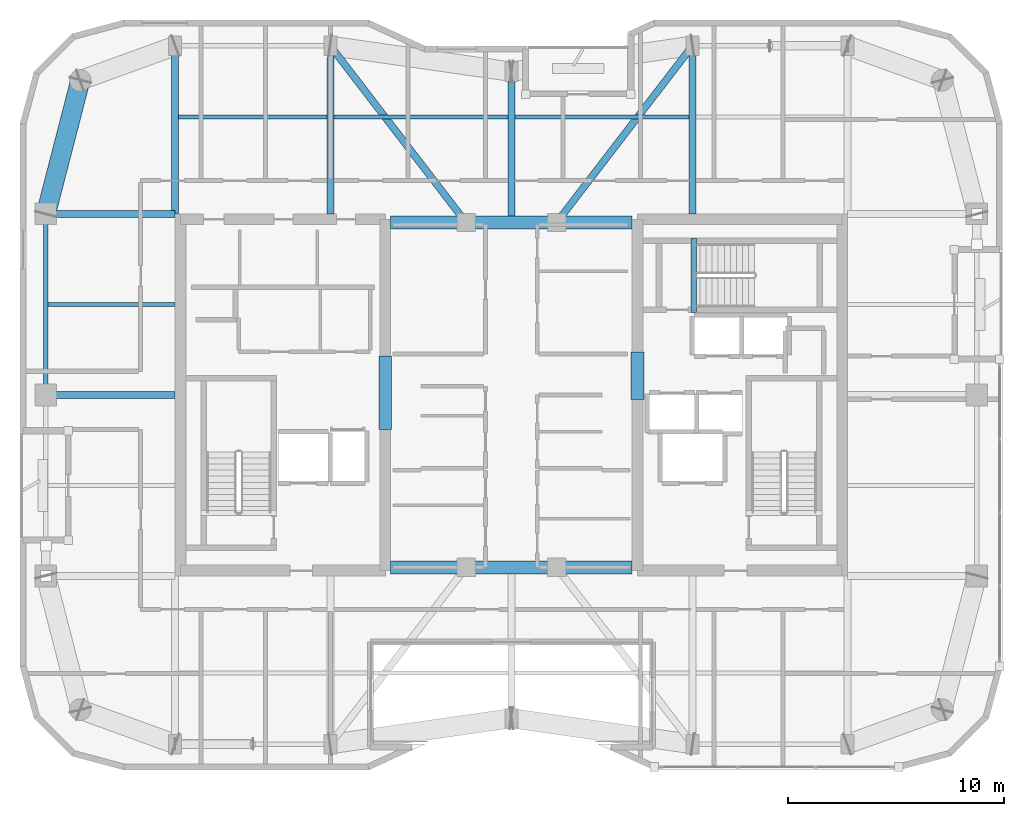
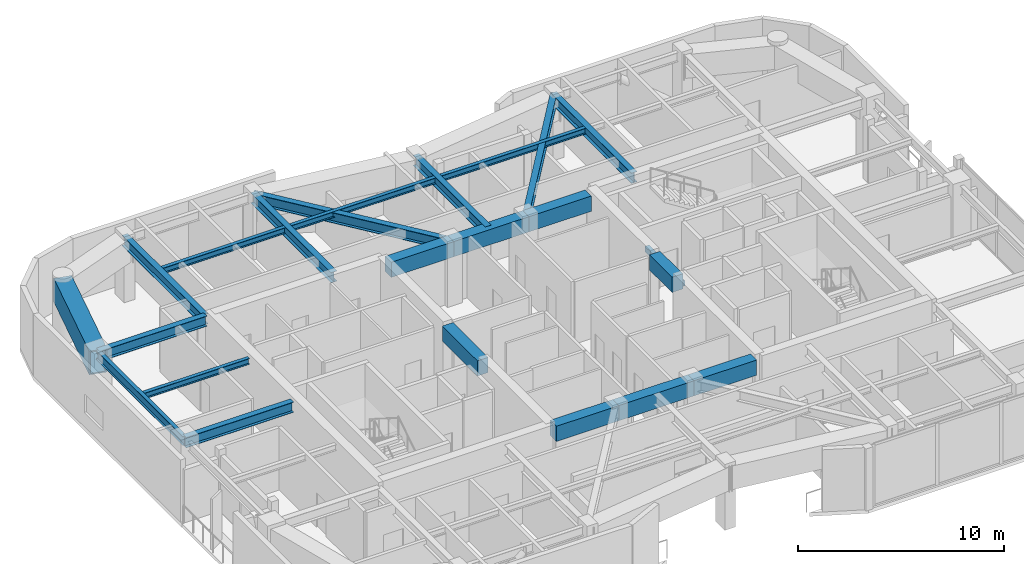
# One storey, part 3 of 16: 23 beams.
"""IFC4 building model written with IfcOpenShell, lengths in metres."""

import ifcopenshell
import ifcopenshell.guid

model = None  # the IFC model being written
_history = None  # IfcOwnerHistory: only IFC2X3 demands one
_inside = {}  # id of a spatial element -> (the spatial element, [elements in it])
_under = {}  # id of a project, library or spatial element -> (it, [spatial elements below it])
_declared = {}  # id of a project -> (the project, [libraries it declares])
_typed = {}  # id of a type object -> (the type object, [elements of that type])
_made_of = {}  # id of a material, layer set ... -> (it, [elements and type objects made of it])


def new_model(schema):
    """Start an empty IFC model of exactly this schema.

    Asked for "IFC4X3", IfcOpenShell would pick the latest addendum, in which some entities
    have other attributes; the version numbers below select the first issue.
    IFC2X3 requires an IfcOwnerHistory on every rooted entity: one is made here for all.
    """
    global model, _history
    if schema == "IFC4X3":
        model = ifcopenshell.file(schema_version=(4, 3, 0, 0))
    else:
        model = ifcopenshell.file(schema=schema)
    _inside.clear()
    _under.clear()
    _declared.clear()
    _typed.clear()
    _made_of.clear()
    _history = None
    if model.schema == "IFC2X3":
        org = make("IfcOrganization", Name="unknown")
        user = make(
            "IfcPersonAndOrganization",
            ThePerson=make("IfcPerson", FamilyName="unknown"),
            TheOrganization=org,
        )
        app = make(
            "IfcApplication",
            ApplicationDeveloper=org,
            Version="unknown",
            ApplicationFullName="unknown",
            ApplicationIdentifier="unknown",
        )
        _history = make(
            "IfcOwnerHistory",
            OwningUser=user,
            OwningApplication=app,
            ChangeAction="ADDED",
            CreationDate=0,
        )
    return model


def make(cls, **values):
    """One entity of the class cls with the attributes given. An attribute that is None is left unset."""
    return model.create_entity(
        cls, **{name: value for name, value in values.items() if value is not None}
    )


def rooted(cls, **values):
    """An entity with a GlobalId (a new one), such as an element, a storey or a relation."""
    return make(cls, GlobalId=ifcopenshell.guid.new(), OwnerHistory=_history, **values)


def si_unit(unit_type, name, prefix=None):
    """IfcSIUnit, for example si_unit("LENGTHUNIT", "METRE", prefix="MILLI")."""
    return make("IfcSIUnit", UnitType=unit_type, Prefix=prefix, Name=name)


def assignment(units):
    """IfcUnitAssignment: the units of a project."""
    return None if units is None else make("IfcUnitAssignment", Units=units)


def point(xyz):
    """IfcCartesianPoint."""
    return None if xyz is None else make("IfcCartesianPoint", Coordinates=xyz)


def direction(xyz):
    """IfcDirection."""
    return None if xyz is None else make("IfcDirection", DirectionRatios=xyz)


def frame(location, z_axis=None, x_axis=None):
    """IfcAxis2Placement3D, a coordinate frame: its origin and axes. An axis left out is left unset."""
    return make(
        "IfcAxis2Placement3D",
        Location=point(location),
        Axis=direction(z_axis),
        RefDirection=direction(x_axis),
    )


def frame_2d(location, x_axis=None):
    """IfcAxis2Placement2D, a coordinate frame in the plane: its origin and x axis."""
    return make(
        "IfcAxis2Placement2D", Location=point(location), RefDirection=direction(x_axis)
    )


def origin():
    """The frame at (0, 0, 0) with its axes left unset."""
    return frame((0.0, 0.0, 0.0))


def origin_2d():
    """The frame at (0, 0) in the plane with its x axis left unset."""
    return frame_2d((0.0, 0.0))


def place(relative_to, where):
    """IfcLocalPlacement: puts the frame where relative to a parent placement (None: the world)."""
    return make(
        "IfcLocalPlacement", PlacementRelTo=relative_to, RelativePlacement=where
    )


def context(
    kind, dimensions, precision=None, world=None, true_north=None, identifier=None
):
    """IfcGeometricRepresentationContext, for example the 3D "Model" context."""
    return make(
        "IfcGeometricRepresentationContext",
        ContextIdentifier=identifier,
        ContextType=kind,
        CoordinateSpaceDimension=dimensions,
        Precision=precision,
        WorldCoordinateSystem=world,
        TrueNorth=true_north,
    )


def subcontext(parent, identifier, kind, view, scale=None):
    """IfcGeometricRepresentationSubContext, for example "Body" below "Model"."""
    return make(
        "IfcGeometricRepresentationSubContext",
        ContextIdentifier=identifier,
        ContextType=kind,
        ParentContext=parent,
        TargetScale=scale,
        TargetView=view,
    )


def project(units=None, contexts=None):
    """IfcProject with its units and contexts."""
    return rooted(
        "IfcProject",
        Name="project",
        RepresentationContexts=contexts,
        UnitsInContext=assignment(units),
    )


def spatial(cls, under=None, at=None, **own):
    """A site, building, storey or space (cls), placed at a placement, below another one or the project."""
    s = rooted(cls, ObjectPlacement=at, **own)
    if under is not None:
        _under.setdefault(under.id(), (under, []))[1].append(s)
    return s


def profile(cls, at=None, kind="AREA", **sizes):
    """A parametric profile (cls). Its sizes go by their IFC names, for example OverallWidth=200.0."""
    return make(cls, ProfileType=kind, Position=at, **sizes)


def rectangle(**sizes):
    """IfcRectangleProfileDef."""
    return profile("IfcRectangleProfileDef", **sizes)


def hollow_rectangle(**sizes):
    """IfcRectangleHollowProfileDef."""
    return profile("IfcRectangleHollowProfileDef", **sizes)


def i_section(**sizes):
    """IfcIShapeProfileDef."""
    return profile("IfcIShapeProfileDef", **sizes)


def extrude(swept, where, along, depth):
    """IfcExtrudedAreaSolid: the profile swept, set in the frame where, extruded along a direction by depth."""
    return make(
        "IfcExtrudedAreaSolid",
        SweptArea=swept,
        Position=where,
        ExtrudedDirection=direction(along),
        Depth=depth,
    )


def shape(context_of_items, identifier, shape_type, items):
    """IfcShapeRepresentation: the items that make up one representation, for example the "Body"."""
    return make(
        "IfcShapeRepresentation",
        ContextOfItems=context_of_items,
        RepresentationIdentifier=identifier,
        RepresentationType=shape_type,
        Items=items,
    )


def material(Name=None, Category=None):
    """IfcMaterial."""
    return make("IfcMaterial", Name=Name, Category=Category)


def material_profile(
    of_material, cross_section, Name=None, Category=None, Priority=None
):
    """IfcMaterialProfile: a cross section and its material."""
    return make(
        "IfcMaterialProfile",
        Name=Name,
        Material=of_material,
        Profile=cross_section,
        Priority=Priority,
        Category=Category,
    )


def profile_set(profiles, Name=None, composite=None):
    """IfcMaterialProfileSet."""
    return make(
        "IfcMaterialProfileSet",
        Name=Name,
        MaterialProfiles=profiles,
        CompositeProfile=composite,
    )


def made_of(thing, what):
    """Note that an element or type object is made of a material, layer set ...; save() writes the relation."""
    if what is not None:
        _made_of.setdefault(what.id(), (what, []))[1].append(thing)
    return thing


def type_object(cls, material=None, **own):
    """A type object (cls), such as IfcWallType, which elements share."""
    return made_of(rooted(cls, **own), material)


def element(
    cls,
    number,
    at=None,
    inside=None,
    cuts=None,
    type_object=None,
    material=None,
    context=None,
    identifier="Body",
    shape_type=None,
    held_by="IfcProductDefinitionShape",
    body=None,
    shapes=None,
    **own,
):
    """One element of the class cls, such as IfcWall. Its Tag is "e" and its number.

    at: its placement. inside: the storey or other place that contains it. cuts: it is an
    opening in that element (IfcRelVoidsElement). A single representation is given by context,
    identifier, shape_type and body (its items); several are given by shapes. held_by: the class
    of the entity that holds the representations. save() writes the other relations.
    """
    e = rooted(cls, Tag="e%d" % number, ObjectPlacement=at, **own)
    if body is not None:
        shapes = [shape(context, identifier, shape_type, body)]
    if shapes is not None:
        e.Representation = make(held_by, Representations=shapes)
    if inside is not None:
        _inside.setdefault(inside.id(), (inside, []))[1].append(e)
    if cuts is not None:
        rooted(
            "IfcRelVoidsElement", RelatingBuildingElement=cuts, RelatedOpeningElement=e
        )
    if type_object is not None:
        _typed.setdefault(type_object.id(), (type_object, []))[1].append(e)
    return made_of(e, material)


def aggregate(whole, parts):
    """IfcRelAggregates: a whole, such as a stair, and the parts it consists of."""
    return rooted("IfcRelAggregates", RelatingObject=whole, RelatedObjects=parts)


def save(model, path):
    """Write the relations noted so far, then the file.

    IfcRelAggregates (storeys below a building ...), IfcRelContainedInSpatialStructure (elements
    in a storey), IfcRelDefinesByType, IfcRelAssociatesMaterial and IfcRelDeclares: one each for
    every whole, place, type object, material and project.
    """
    for whole, parts in _under.values():
        aggregate(whole, parts)
    for where, things in _inside.values():
        rooted(
            "IfcRelContainedInSpatialStructure",
            RelatedElements=things,
            RelatingStructure=where,
        )
    for kind, things in _typed.values():
        rooted("IfcRelDefinesByType", RelatedObjects=things, RelatingType=kind)
    for what, things in _made_of.values():
        rooted("IfcRelAssociatesMaterial", RelatedObjects=things, RelatingMaterial=what)
    for by, libraries in _declared.values():
        rooted("IfcRelDeclares", RelatingContext=by, RelatedDefinitions=libraries)
    model.write(path)


model = new_model("IFC4")

# Units and contexts
model_context = context("Model", 3, precision=1e-05, world=origin(), true_north=direction((0.0, 1.0)))
body_context = subcontext(model_context, "Body", "Model", "MODEL_VIEW")
ifc_project = project(units=[si_unit("LENGTHUNIT", "METRE"), si_unit("AREAUNIT", "SQUARE_METRE"), si_unit("VOLUMEUNIT", "CUBIC_METRE"), si_unit("PLANEANGLEUNIT", "RADIAN"), si_unit("MASSUNIT", "GRAM", prefix="KILO")], contexts=[model_context])

# Site, building, storey
site_placement = place(None, origin())
site = spatial("IfcSite", under=ifc_project, at=site_placement, CompositionType="ELEMENT")
building_placement = place(site_placement, origin())
building = spatial("IfcBuilding", under=site, at=building_placement, Name="Kiyonajd Concourse Tower", CompositionType="ELEMENT")
storey_placement = place(building_placement, frame((0.0, 0.0, 298.5)))
storey = spatial("IfcBuildingStorey", under=building, at=storey_placement, Name="L75", CompositionType="ELEMENT", Elevation=298.5)

# Beams
ifc_material_1 = material(Name="Concrete C60/75", Category="concrete")
ifc_material_profile_1 = material_profile(ifc_material_1, rectangle(XDim=0.60009765625, YDim=0.89990234375, at=origin_2d()), Name="RCBM-600x900")
ifc_profile_set_1 = profile_set([ifc_material_profile_1], Name="Concrete C60/75")
beam_type_1 = type_object("IfcBeamType", Name="BM-COUP-900", PredefinedType="LINTEL", material=ifc_profile_set_1)
beam_1_placement = place(storey_placement, frame((42.39990234375, 28.0, 3.22998046875), z_axis=(1.0, 0.0, 0.0), x_axis=(0.0, 1.0, 0.0)))
element("IfcBeam", 1, at=beam_1_placement, inside=storey, type_object=beam_type_1, Name="L75 Core Coupling Beam S1", PredefinedType="LINTEL", context=body_context, shape_type="SweptSolid", body=[
    extrude(rectangle(XDim=0.60009765625, YDim=0.89990234375, at=origin_2d()), origin(), (0.0, 0.0, 1.0), 3.5),
])
beam_2_placement = place(storey_placement, frame((45.89990234375, 28.0, 3.22998046875), z_axis=(1.0, 0.0, 0.0), x_axis=(0.0, 1.0, 0.0)))
element("IfcBeam", 2, at=beam_2_placement, inside=storey, type_object=beam_type_1, Name="L75 Core Coupling Beam S2", PredefinedType="LINTEL", context=body_context, shape_type="SweptSolid", body=[
    extrude(rectangle(XDim=0.60009765625, YDim=0.89990234375, at=origin_2d()), origin(), (0.0, 0.0, 1.0), 4.2001953125),
])
for number, where, z_axis, x_axis, name in (
    (3, (50.10009765625, 28.0, 3.22998046875), (1.0, 0.0, 0.0), (0.0, 1.0, 0.0), "L75 Core Coupling Beam S3"),
    (4, (42.39990234375, 44.0, 3.22998046875), (1.0, 0.0, 0.0), (0.0, 1.0, 0.0), "L75 Core Coupling Beam N1"),
):
    element("IfcBeam", number, at=place(storey_placement, frame(where, z_axis=z_axis, x_axis=x_axis)), inside=storey, type_object=beam_type_1, Name=name, PredefinedType="LINTEL", context=body_context, shape_type="SweptSolid", body=[
        extrude(rectangle(XDim=0.60009765625, YDim=0.89990234375, at=origin_2d()), origin(), (0.0, 0.0, 1.0), 3.5),
    ])
beam_3_placement = place(storey_placement, frame((45.89990234375, 44.0, 3.22998046875), z_axis=(1.0, 0.0, 0.0), x_axis=(0.0, 1.0, 0.0)))
element("IfcBeam", 5, at=beam_3_placement, inside=storey, type_object=beam_type_1, Name="L75 Core Coupling Beam N2", PredefinedType="LINTEL", context=body_context, shape_type="SweptSolid", body=[
    extrude(rectangle(XDim=0.60009765625, YDim=0.89990234375, at=origin_2d()), origin(), (0.0, 0.0, 1.0), 4.2001953125),
])
beam_4_placement = place(storey_placement, frame((50.10009765625, 44.0, 3.22998046875), z_axis=(1.0, 0.0, 0.0), x_axis=(0.0, 1.0, 0.0)))
element("IfcBeam", 6, at=beam_4_placement, inside=storey, type_object=beam_type_1, Name="L75 Core Coupling Beam N3", PredefinedType="LINTEL", context=body_context, shape_type="SweptSolid", body=[
    extrude(rectangle(XDim=0.60009765625, YDim=0.89990234375, at=origin_2d()), origin(), (0.0, 0.0, 1.0), 3.5),
])
beam_5_placement = place(storey_placement, frame((42.14990234375, 34.39990234375, 3.22998046875), z_axis=(0.0, 1.0, 0.0), x_axis=(-1.0, 0.0, 0.0)))
element("IfcBeam", 7, at=beam_5_placement, inside=storey, type_object=beam_type_1, Name="L75 West Core Throat Coupling Lintel", PredefinedType="LINTEL", context=body_context, shape_type="SweptSolid", body=[
    extrude(rectangle(XDim=0.60009765625, YDim=0.89990234375, at=origin_2d()), origin(), (0.0, 0.0, 1.0), 3.400146484375),
])
beam_6_placement = place(storey_placement, frame((53.85009765625, 35.800048828125, 3.22998046875), z_axis=(0.0, 1.0, 0.0), x_axis=(-1.0, 0.0, 0.0)))
element("IfcBeam", 8, at=beam_6_placement, inside=storey, type_object=beam_type_1, Name="L75 East Core Throat Coupling Lintel", PredefinedType="LINTEL", context=body_context, shape_type="SweptSolid", body=[
    extrude(rectangle(XDim=0.60009765625, YDim=0.89990234375, at=origin_2d()), origin(), (0.0, 0.0, 1.0), 2.199951171875),
])
ifc_material_2 = material(Name="Steel ASTM A992 Grade 50", Category="steel")
ifc_material_profile_2 = material_profile(ifc_material_2, i_section(OverallWidth=0.205078125, OverallDepth=0.35400390625, WebThickness=0.009521484375, FlangeThickness=0.016845703125, at=origin_2d()), Name="W360X79")
ifc_profile_set_2 = profile_set([ifc_material_profile_2], Name="Steel ASTM A992 Grade 50")
beam_type_2 = type_object("IfcBeamType", Name="BM-JST-360", PredefinedType="JOIST", material=ifc_profile_set_2)
beam_7_placement = place(storey_placement, frame((32.56201171875, 48.89990234375, 3.5029296875), z_axis=(1.0, 0.0, 0.0), x_axis=(0.0, 1.0, 0.0)))
element("IfcBeam", 9, at=beam_7_placement, inside=storey, type_object=beam_type_2, Name="L75 Secondary Floor Joist", PredefinedType="JOIST", context=body_context, shape_type="SweptSolid", body=[
    extrude(i_section(OverallWidth=0.205078125, OverallDepth=0.35400390625, WebThickness=0.009521484375, FlangeThickness=0.016845703125, at=origin_2d()), origin(), (0.0, 0.0, 1.0), 6.8759765625),
])
for number, where, z_axis, x_axis, name in (
    (10, (39.761962890625, 48.89990234375, 3.5029296875), (1.0, 0.0, 0.0), (0.0, 1.0, 0.0), "L75 Secondary Floor Joist"),
    (11, (48.162109375, 48.89990234375, 3.5029296875), (1.0, 0.0, 0.0), (0.0, 1.0, 0.0), "L75 Secondary Floor Joist"),
):
    element("IfcBeam", number, at=place(storey_placement, frame(where, z_axis=z_axis, x_axis=x_axis)), inside=storey, type_object=beam_type_2, Name=name, PredefinedType="JOIST", context=body_context, shape_type="SweptSolid", body=[
        extrude(i_section(OverallWidth=0.205078125, OverallDepth=0.35400390625, WebThickness=0.009521484375, FlangeThickness=0.016845703125, at=origin_2d()), origin(), (0.0, 0.0, 1.0), 8.075927734375),
    ])
beam_8_placement = place(storey_placement, frame((26.505615234375, 40.199951171875, 3.5029296875), z_axis=(1.0, 0.0, 0.0), x_axis=(0.0, 1.0, 0.0)))
element("IfcBeam", 12, at=beam_8_placement, inside=storey, type_object=beam_type_2, Name="L75 West Secondary Floor Joist", PredefinedType="JOIST", context=body_context, shape_type="SweptSolid", body=[
    extrude(i_section(OverallWidth=0.205078125, OverallDepth=0.35400390625, WebThickness=0.009521484375, FlangeThickness=0.016845703125, at=origin_2d()), origin(), (0.0, 0.0, 1.0), 5.894287109375),
])
ifc_material_3 = material(Name="Concrete C50/60", Category="concrete")
ifc_material_profile_3 = material_profile(ifc_material_3, rectangle(XDim=0.239990234375, YDim=0.320068359375, at=origin_2d()), Name="RCBM-240x320")
ifc_profile_set_3 = profile_set([ifc_material_profile_3], Name="Concrete C50/60")
beam_type_3 = type_object("IfcBeamType", Name="BM-LNT-250", PredefinedType="LINTEL", material=ifc_profile_set_3)
beam_9_placement = place(storey_placement, frame((56.4599609375, 39.820068359375, -0.159912109375), z_axis=(0.0, 1.0, 0.0), x_axis=(-1.0, 0.0, 0.0)))
element("IfcBeam", 13, at=beam_9_placement, inside=storey, type_object=beam_type_3, Name="L75 Stair ST3 Threshold Support Beam", PredefinedType="LINTEL", context=body_context, shape_type="SweptSolid", body=[
    extrude(rectangle(XDim=0.239990234375, YDim=0.320068359375, at=origin_2d()), origin(), (0.0, 0.0, 1.0), 3.4599609375),
])
ifc_material_profile_4 = material_profile(ifc_material_2, i_section(OverallWidth=0.2109375, OverallDepth=0.5390625, WebThickness=0.01171875, FlangeThickness=0.018798828125, at=origin_2d()), Name="W530X109")
ifc_profile_set_4 = profile_set([ifc_material_profile_4], Name="Steel ASTM A992 Grade 50")
beam_type_4 = type_object("IfcBeamType", Name="BM-SPAN-530B", PredefinedType="SPANDREL", material=ifc_profile_set_4)
beam_10_placement = place(storey_placement, frame((26.39990234375, 44.39990234375, 3.410400390625), z_axis=(0.0, -1.0, 0.0), x_axis=(1.0, 0.0, 0.0)))
element("IfcBeam", 14, at=beam_10_placement, inside=storey, type_object=beam_type_4, Name="L75 Perimeter Bundled Tube Spandrel", PredefinedType="SPANDREL", context=body_context, shape_type="SweptSolid", body=[
    extrude(i_section(OverallWidth=0.2109375, OverallDepth=0.5390625, WebThickness=0.01171875, FlangeThickness=0.018798828125, at=origin_2d()), origin(), (0.0, 0.0, 1.0), 8.39990234375),
])
ifc_material_profile_5 = material_profile(ifc_material_2, i_section(OverallWidth=0.326904296875, OverallDepth=0.6220703125, WebThickness=0.015380859375, FlangeThickness=0.0244140625, at=origin_2d()), Name="W610X195")
ifc_profile_set_5 = profile_set([ifc_material_profile_5], Name="Steel ASTM A992 Grade 50")
beam_type_5 = type_object("IfcBeamType", Name="BM-TWR-610A", PredefinedType="BEAM", material=ifc_profile_set_5)
for number, where, z_axis, x_axis, name in (
    (15, (39.60009765625, 52.199951171875, 3.368896484375), (0.609233709922, -0.792990722956, 0.0), (0.792990722956, 0.609233709922, 0.0), "L75 Core Tie Girder"),
    (16, (50.10009765625, 44.0, 3.368896484375), (0.609233709922, 0.792990722956, 0.0), (-0.792990722956, 0.609233709922, 0.0), "L75 Core Tie Girder"),
):
    element("IfcBeam", number, at=place(storey_placement, frame(where, z_axis=z_axis, x_axis=x_axis)), inside=storey, type_object=beam_type_5, Name=name, PredefinedType="BEAM", context=body_context, shape_type="SweptSolid", body=[
        extrude(i_section(OverallWidth=0.326904296875, OverallDepth=0.6220703125, WebThickness=0.015380859375, FlangeThickness=0.0244140625, at=origin_2d()), origin(), (0.0, 0.0, 1.0), 10.340576171875),
    ])
ifc_material_profile_6 = material_profile(ifc_material_2, i_section(OverallWidth=0.323974609375, OverallDepth=0.611083984375, WebThickness=0.0126953125, FlangeThickness=0.01904296875, at=origin_2d()), Name="W610X155")
ifc_profile_set_6 = profile_set([ifc_material_profile_6], Name="Steel ASTM A992 Grade 50")
beam_type_6 = type_object("IfcBeamType", Name="BM-TWR-610B", PredefinedType="BEAM", material=ifc_profile_set_6)
for number, where, z_axis, x_axis, name in (
    (17, (32.39990234375, 44.39990234375, 3.37451171875), (0.0, 1.0, 0.0), (-1.0, 0.0, 0.0), "L75 North Lease Girder"),
    (18, (39.60009765625, 44.39990234375, 3.37451171875), (0.0, 1.0, 0.0), (-1.0, 0.0, 0.0), "L75 North Lease Girder"),
    (19, (56.39990234375, 44.39990234375, 3.37451171875), (0.0, 1.0, 0.0), (-1.0, 0.0, 0.0), "L75 North Lease Girder"),
):
    element("IfcBeam", number, at=place(storey_placement, frame(where, z_axis=z_axis, x_axis=x_axis)), inside=storey, type_object=beam_type_6, Name=name, PredefinedType="BEAM", context=body_context, shape_type="SweptSolid", body=[
        extrude(i_section(OverallWidth=0.323974609375, OverallDepth=0.611083984375, WebThickness=0.0126953125, FlangeThickness=0.01904296875, at=origin_2d()), origin(), (0.0, 0.0, 1.0), 7.800048828125),
    ])
beam_11_placement = place(storey_placement, frame((48.0, 44.0, 3.37451171875), z_axis=(0.0, 1.0, 0.0), x_axis=(-1.0, 0.0, 0.0)))
element("IfcBeam", 20, at=beam_11_placement, inside=storey, type_object=beam_type_6, Name="L75 North Ribbon Girder", PredefinedType="BEAM", context=body_context, shape_type="SweptSolid", body=[
    extrude(i_section(OverallWidth=0.323974609375, OverallDepth=0.611083984375, WebThickness=0.0126953125, FlangeThickness=0.01904296875, at=origin_2d()), origin(), (0.0, 0.0, 1.0), 7.0),
])
for number, where, z_axis, x_axis, name in (
    (21, (26.39990234375, 36.0, 3.37451171875), (1.0, 0.0, 0.0), (0.0, 1.0, 0.0), "L75 West Lease Girder"),
    (22, (26.39990234375, 44.39990234375, 3.37451171875), (1.0, 0.0, 0.0), (0.0, 1.0, 0.0), "L75 West Lease Girder"),
):
    element("IfcBeam", number, at=place(storey_placement, frame(where, z_axis=z_axis, x_axis=x_axis)), inside=storey, type_object=beam_type_6, Name=name, PredefinedType="BEAM", context=body_context, shape_type="SweptSolid", body=[
        extrude(i_section(OverallWidth=0.323974609375, OverallDepth=0.611083984375, WebThickness=0.0126953125, FlangeThickness=0.01904296875, at=origin_2d()), origin(), (0.0, 0.0, 1.0), 6.0),
    ])
ifc_material_4 = material(Name="Steel ASTM A572 Grade 50", Category="steel")
ifc_material_profile_7 = material_profile(ifc_material_4, hollow_rectangle(XDim=0.89990234375, YDim=1.39990234375, WallThickness=0.070068359375, at=origin_2d()), Name="BOX-1400x900x70")
ifc_profile_set_7 = profile_set([ifc_material_profile_7], Name="Steel ASTM A572 Grade 50")
beam_type_7 = type_object("IfcBeamType", Name="BM-XFER-1400", PredefinedType="BEAM", material=ifc_profile_set_7)
beam_12_placement = place(storey_placement, frame((28.0, 50.60009765625, 2.97998046875), z_axis=(-0.249884937687, -0.968275538221, 0.0), x_axis=(0.968275538221, -0.249884937687, 0.0)))
element("IfcBeam", 23, at=beam_12_placement, inside=storey, type_object=beam_type_7, Name="L75 Perimeter Bundled Tube Spandrel", PredefinedType="BEAM", context=body_context, shape_type="SweptSolid", body=[
    extrude(hollow_rectangle(XDim=0.89990234375, YDim=1.39990234375, WallThickness=0.070068359375, at=origin_2d()), origin(), (0.0, 0.0, 1.0), 6.4033203125),
])

save(model, "model.ifc")
